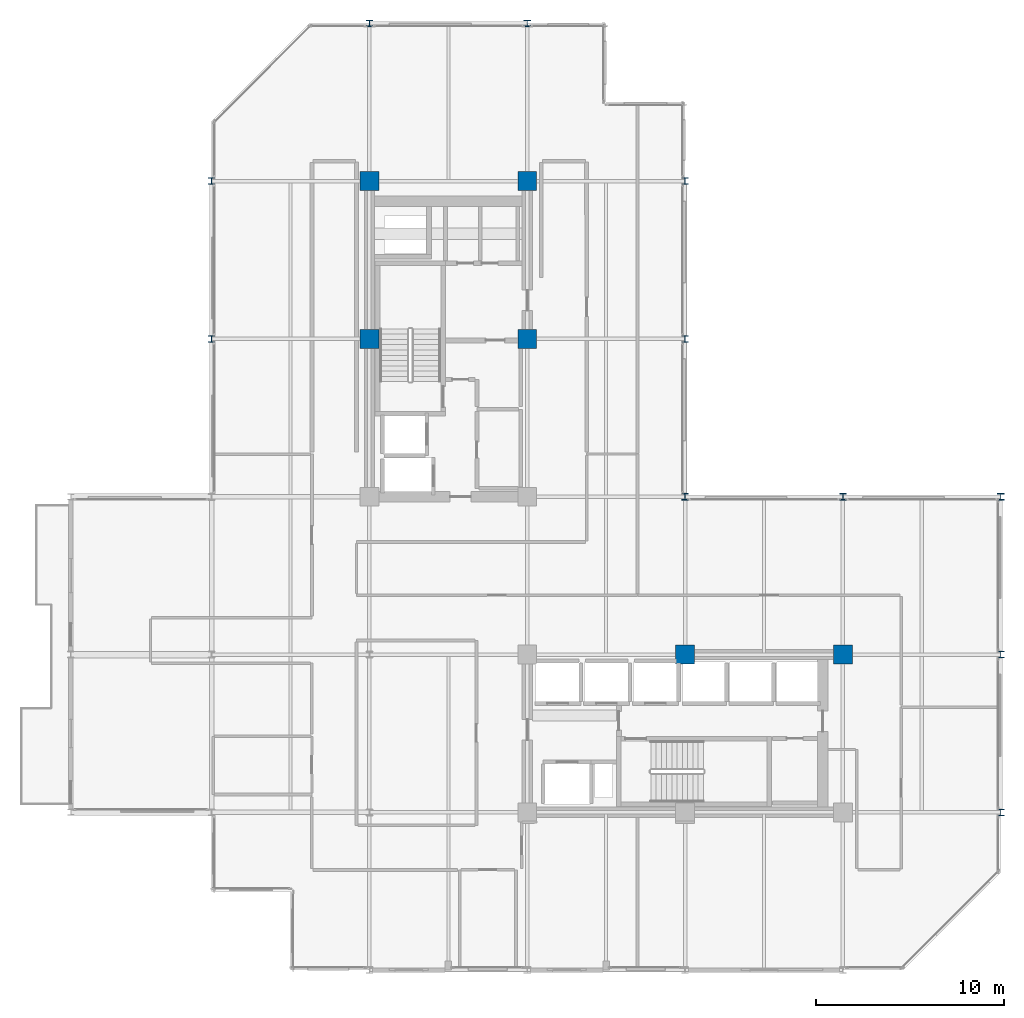
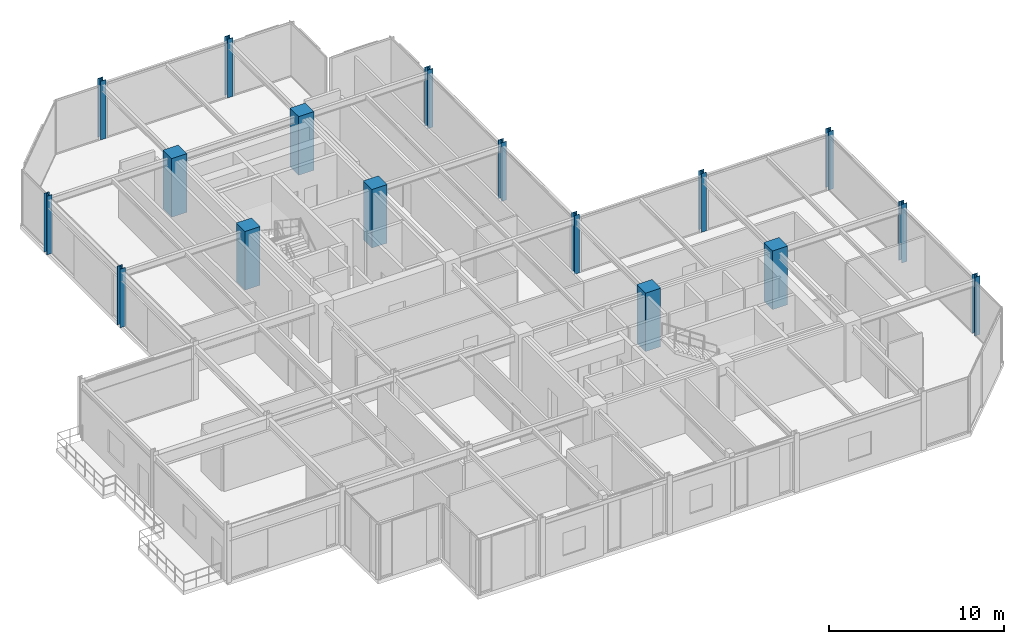
# One storey, part 2 of 29: 17 columns.
"""IFC4 building model written with IfcOpenShell, lengths in metres."""

from ifc_helpers import new_model, si_unit, direction, frame, origin, origin_2d, place, context, subcontext, project, spatial, rectangle, i_section, extrude, material, material_profile, profile_set, type_object, element, save


model = new_model("IFC4")

# Units and contexts
model_context = context("Model", 3, precision=1e-05, world=origin(), true_north=direction((0.0, 1.0)))
body_context = subcontext(model_context, "Body", "Model", "MODEL_VIEW")
ifc_project = project(units=[si_unit("LENGTHUNIT", "METRE"), si_unit("AREAUNIT", "SQUARE_METRE"), si_unit("VOLUMEUNIT", "CUBIC_METRE"), si_unit("PLANEANGLEUNIT", "RADIAN"), si_unit("MASSUNIT", "GRAM", prefix="KILO")], contexts=[model_context])

# Site, building, storey
site_placement = place(None, origin())
site = spatial("IfcSite", under=ifc_project, at=site_placement, CompositionType="ELEMENT")
building_placement = place(site_placement, origin())
building = spatial("IfcBuilding", under=site, at=building_placement, Name="Nerrivon Quay Data Exchange", CompositionType="ELEMENT")
storey_placement = place(building_placement, frame((0.0, 0.0, 212.39990234375)))
storey = spatial("IfcBuildingStorey", under=building, at=storey_placement, Name="L50", CompositionType="ELEMENT", Elevation=212.39990234375)

# Columns
ifc_material_1 = material(Name="Concrete S65 (65 MPa)", Category="concrete")
ifc_material_profile_1 = material_profile(ifc_material_1, rectangle(XDim=1.0, YDim=1.0, at=origin_2d()), Name="RC-COL-1000x1000")
ifc_profile_set_1 = profile_set([ifc_material_profile_1], Name="Concrete S65 (65 MPa)")
column_type_1 = type_object("IfcColumnType", Name="COL-C4-1000", PredefinedType="COLUMN", material=ifc_profile_set_1)
for number, where, z_axis, x_axis, name in (
    (1, (8.39990234375, 33.60009765625, 0.0), (0.0, 0.0, 1.0), (1.0, 0.0, 0.0), "L50 Column (8.4,33.6)"),
    (2, (8.39990234375, 42.0, 0.0), (0.0, 0.0, 1.0), (1.0, 0.0, 0.0), "L50 Column (8.4,42.0)"),
    (3, (16.800048828125, 33.60009765625, 0.0), (0.0, 0.0, 1.0), (1.0, 0.0, 0.0), "L50 Column (16.8,33.6)"),
    (4, (16.800048828125, 42.0, 0.0), (0.0, 0.0, 1.0), (1.0, 0.0, 0.0), "L50 Column (16.8,42.0)"),
    (5, (25.199951171875, 16.800048828125, 0.0), (0.0, 0.0, 1.0), (1.0, 0.0, 0.0), "L50 Column (25.2,16.8)"),
    (6, (33.60009765625, 16.800048828125, 0.0), (0.0, 0.0, 1.0), (1.0, 0.0, 0.0), "L50 Column (33.6,16.8)"),
):
    element("IfcColumn", number, at=place(storey_placement, frame(where, z_axis=z_axis, x_axis=x_axis)), inside=storey, type_object=column_type_1, Name=name, PredefinedType="COLUMN", context=body_context, shape_type="SweptSolid", body=[
        extrude(rectangle(XDim=1.0, YDim=1.0, at=origin_2d()), origin(), (0.0, 0.0, 1.0), 4.10009765625),
    ])
ifc_material_2 = material(Name="Steel Grade 350", Category="steel")
ifc_material_profile_2 = material_profile(ifc_material_2, i_section(OverallWidth=0.35009765625, OverallDepth=0.35009765625, WebThickness=0.02001953125, FlangeThickness=0.031982421875, at=origin_2d()), Name="350WC230")
ifc_profile_set_2 = profile_set([ifc_material_profile_2], Name="Steel Grade 350")
column_type_2 = type_object("IfcColumnType", Name="COL-SC3-350WC", PredefinedType="COLUMN", material=ifc_profile_set_2)
for number, where, z_axis, x_axis, name in (
    (7, (0.0, 33.60009765625, 0.0), (0.0, 0.0, 1.0), (1.0, 0.0, 0.0), "L50 Column (0.0,33.6)"),
    (8, (0.0, 42.0, 0.0), (0.0, 0.0, 1.0), (1.0, 0.0, 0.0), "L50 Column (0.0,42.0)"),
    (9, (8.39990234375, 50.39990234375, 0.0), (0.0, 0.0, 1.0), (1.0, 0.0, 0.0), "L50 Column (8.4,50.4)"),
    (10, (16.800048828125, 50.39990234375, 0.0), (0.0, 0.0, 1.0), (1.0, 0.0, 0.0), "L50 Column (16.8,50.4)"),
    (11, (25.199951171875, 25.199951171875, 0.0), (0.0, 0.0, 1.0), (1.0, 0.0, 0.0), "L50 Column (25.2,25.2)"),
    (12, (25.199951171875, 33.60009765625, 0.0), (0.0, 0.0, 1.0), (1.0, 0.0, 0.0), "L50 Column (25.2,33.6)"),
    (13, (25.199951171875, 42.0, 0.0), (0.0, 0.0, 1.0), (1.0, 0.0, 0.0), "L50 Column (25.2,42.0)"),
    (14, (33.60009765625, 25.199951171875, 0.0), (0.0, 0.0, 1.0), (1.0, 0.0, 0.0), "L50 Column (33.6,25.2)"),
    (15, (42.0, 8.39990234375, 0.0), (0.0, 0.0, 1.0), (1.0, 0.0, 0.0), "L50 Column (42.0,8.4)"),
    (16, (42.0, 16.800048828125, 0.0), (0.0, 0.0, 1.0), (1.0, 0.0, 0.0), "L50 Column (42.0,16.8)"),
    (17, (42.0, 25.199951171875, 0.0), (0.0, 0.0, 1.0), (1.0, 0.0, 0.0), "L50 Column (42.0,25.2)"),
):
    element("IfcColumn", number, at=place(storey_placement, frame(where, z_axis=z_axis, x_axis=x_axis)), inside=storey, type_object=column_type_2, Name=name, PredefinedType="COLUMN", context=body_context, shape_type="SweptSolid", body=[
        extrude(i_section(OverallWidth=0.35009765625, OverallDepth=0.35009765625, WebThickness=0.02001953125, FlangeThickness=0.031982421875, at=origin_2d()), origin(), (0.0, 0.0, 1.0), 4.10009765625),
    ])

save(model, "model.ifc")
